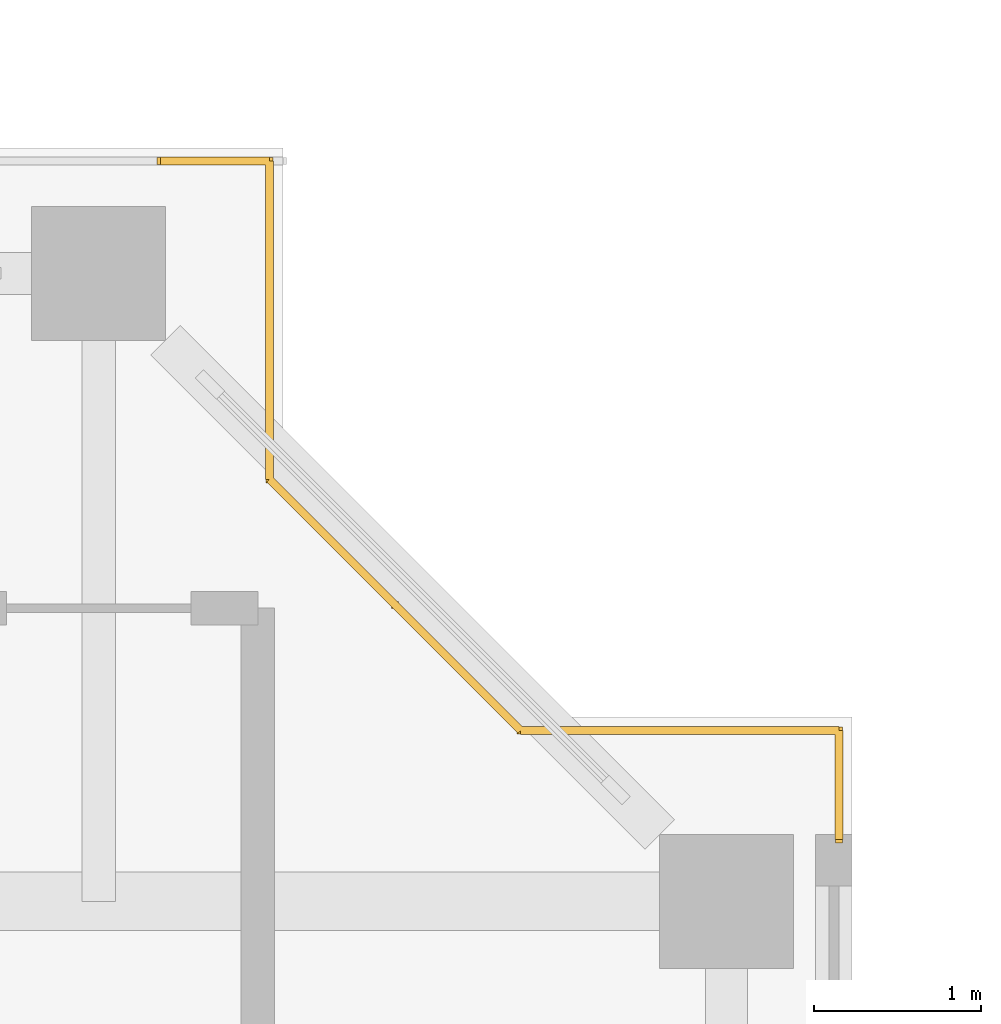
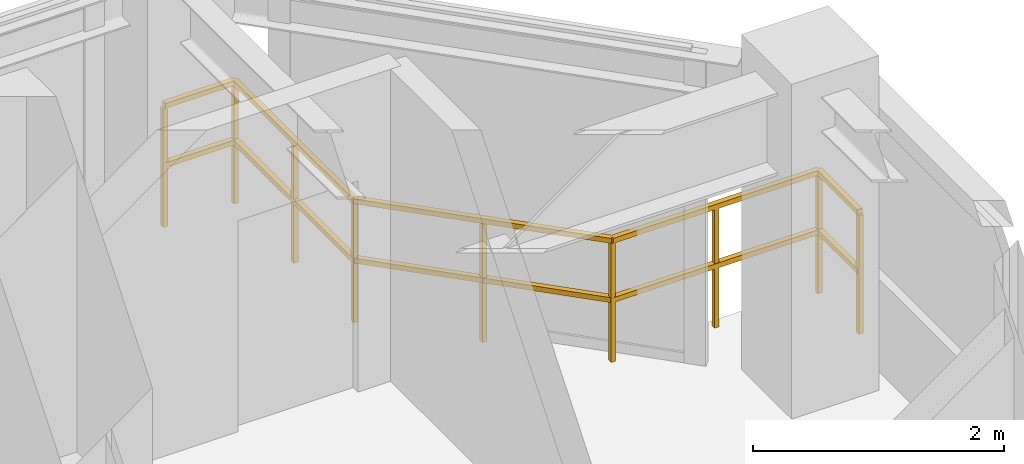
# One storey, part 23 of 23: 1 railing.
"""IFC4 building model written with IfcOpenShell, lengths in metres."""

from ifc_helpers import new_model, si_unit, direction, frame, origin, origin_2d, place, context, subcontext, project, spatial, rectangle, extrude, material, type_object, element, save


model = new_model("IFC4")

# Units and contexts
model_context = context("Model", 3, precision=1e-05, world=origin(), true_north=direction((0.0, 1.0)))
body_context = subcontext(model_context, "Body", "Model", "MODEL_VIEW")
ifc_project = project(units=[si_unit("LENGTHUNIT", "METRE"), si_unit("AREAUNIT", "SQUARE_METRE"), si_unit("VOLUMEUNIT", "CUBIC_METRE"), si_unit("PLANEANGLEUNIT", "RADIAN"), si_unit("MASSUNIT", "GRAM", prefix="KILO"), si_unit("THERMODYNAMICTEMPERATUREUNIT", "KELVIN"), si_unit("POWERUNIT", "WATT")], contexts=[model_context])

# Site, building, storey
site_placement = place(None, origin())
site = spatial("IfcSite", under=ifc_project, at=site_placement, CompositionType="ELEMENT")
building_placement = place(site_placement, origin())
building = spatial("IfcBuilding", under=site, at=building_placement, Name="Qiaomeng Ring Towers", CompositionType="ELEMENT")
storey_placement = place(building_placement, frame((0.0, 0.0, 89.25)))
storey = spatial("IfcBuildingStorey", under=building, at=storey_placement, Name="L25", CompositionType="ELEMENT", Elevation=89.25)

# Railing
ifc_material = material(Name="Low-E pale-green laminated safety glass", Category="glass")
railing_type = type_object("IfcRailingType", Name="ARC-RL-BAL1", PredefinedType="BALUSTRADE", material=ifc_material)
railing_placement = place(storey_placement, frame((73.02001953125, 31.469970703125, 0.0)))
element("IfcRailing", 1, at=railing_placement, inside=storey, type_object=railing_type, Name="L25 Balustrade ARC-BAL-NOTCH2-L25-NE", PredefinedType="BALUSTRADE", context=body_context, shape_type="SweptSolid", body=[
    extrude(rectangle(XDim=0.048095703125, YDim=0.048095703125, at=origin_2d()), frame((0.0, 0.0, 1.17578125), z_axis=(0.0, 1.0, 0.0), x_axis=(-1.0, 0.0, 0.0)), (0.0, 0.0, 1.0), 0.650146484375),
    extrude(rectangle(XDim=0.048095703125, YDim=0.048095703125, at=origin_2d()), frame((0.0, 0.0, 0.60009765625), z_axis=(0.0, 1.0, 0.0), x_axis=(-1.0, 0.0, 0.0)), (0.0, 0.0, 1.0), 0.650146484375),
    extrude(rectangle(XDim=0.048095703125, YDim=0.048095703125, at=origin_2d()), frame((0.0, 0.650146484375, 1.17578125), z_axis=(-1.0, 0.0, 0.0), x_axis=(0.0, -1.0, 0.0)), (0.0, 0.0, 1.0), 1.89990234375),
    extrude(rectangle(XDim=0.048095703125, YDim=0.048095703125, at=origin_2d()), frame((0.0, 0.650146484375, 0.60009765625), z_axis=(-1.0, 0.0, 0.0), x_axis=(0.0, -1.0, 0.0)), (0.0, 0.0, 1.0), 1.89990234375),
    extrude(rectangle(XDim=0.048095703125, YDim=0.048095703125, at=origin_2d()), frame((-1.89990234375, 0.650146484375, 1.17578125), z_axis=(-0.707106781187, 0.707106781187, 0.0), x_axis=(-0.707106781187, -0.707106781187, 0.0)), (0.0, 0.0, 1.0), 2.121337890625),
    extrude(rectangle(XDim=0.048095703125, YDim=0.048095703125, at=origin_2d()), frame((-1.89990234375, 0.650146484375, 0.60009765625), z_axis=(-0.707106781187, 0.707106781187, 0.0), x_axis=(-0.707106781187, -0.707106781187, 0.0)), (0.0, 0.0, 1.0), 2.121337890625),
    extrude(rectangle(XDim=0.048095703125, YDim=0.048095703125, at=origin_2d()), frame((-3.39990234375, 2.150146484375, 1.17578125), z_axis=(0.0, 1.0, 0.0), x_axis=(-1.0, 0.0, 0.0)), (0.0, 0.0, 1.0), 1.89990234375),
    extrude(rectangle(XDim=0.048095703125, YDim=0.048095703125, at=origin_2d()), frame((-3.39990234375, 2.150146484375, 0.60009765625), z_axis=(0.0, 1.0, 0.0), x_axis=(-1.0, 0.0, 0.0)), (0.0, 0.0, 1.0), 1.89990234375),
    extrude(rectangle(XDim=0.048095703125, YDim=0.048095703125, at=origin_2d()), frame((-3.39990234375, 4.050048828125, 1.17578125), z_axis=(-1.0, 0.0, 0.0), x_axis=(0.0, -1.0, 0.0)), (0.0, 0.0, 1.0), 0.650146484375),
    extrude(rectangle(XDim=0.048095703125, YDim=0.048095703125, at=origin_2d()), frame((-3.39990234375, 4.050048828125, 0.60009765625), z_axis=(-1.0, 0.0, 0.0), x_axis=(0.0, -1.0, 0.0)), (0.0, 0.0, 1.0), 0.650146484375),
    extrude(rectangle(XDim=0.0419921875, YDim=0.0419921875, at=origin_2d()), origin(), (0.0, 0.0, 1.0), 1.15185546875),
    extrude(rectangle(XDim=0.0419921875, YDim=0.0419921875, at=origin_2d()), frame((0.0, 0.650146484375, 0.0)), (0.0, 0.0, 1.0), 1.15185546875),
    extrude(rectangle(XDim=0.0419921875, YDim=0.0419921875, at=origin_2d()), frame((-0.949951171875, 0.650146484375, 0.0)), (0.0, 0.0, 1.0), 1.15185546875),
    extrude(rectangle(XDim=0.0419921875, YDim=0.0419921875, at=origin_2d()), frame((-1.89990234375, 0.650146484375, 0.0)), (0.0, 0.0, 1.0), 1.15185546875),
    extrude(rectangle(XDim=0.0419921875, YDim=0.0419921875, at=origin_2d()), frame((-2.64990234375, 1.400146484375, 0.0)), (0.0, 0.0, 1.0), 1.15185546875),
    extrude(rectangle(XDim=0.0419921875, YDim=0.0419921875, at=origin_2d()), frame((-3.39990234375, 2.150146484375, 0.0)), (0.0, 0.0, 1.0), 1.15185546875),
    extrude(rectangle(XDim=0.0419921875, YDim=0.0419921875, at=origin_2d()), frame((-3.39990234375, 3.10009765625, 0.0)), (0.0, 0.0, 1.0), 1.15185546875),
    extrude(rectangle(XDim=0.0419921875, YDim=0.0419921875, at=origin_2d()), frame((-3.39990234375, 4.050048828125, 0.0)), (0.0, 0.0, 1.0), 1.15185546875),
    extrude(rectangle(XDim=0.0419921875, YDim=0.0419921875, at=origin_2d()), frame((-4.050048828125, 4.050048828125, 0.0)), (0.0, 0.0, 1.0), 1.15185546875),
])

save(model, "model.ifc")
